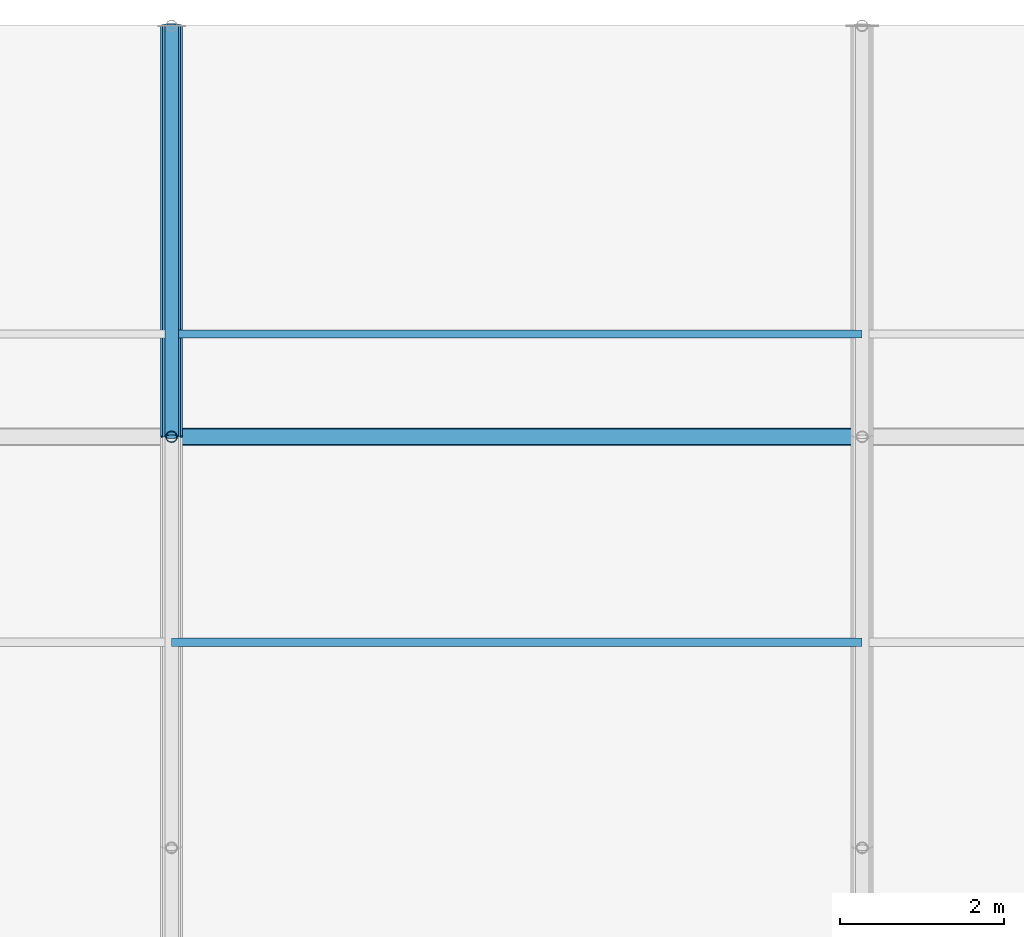
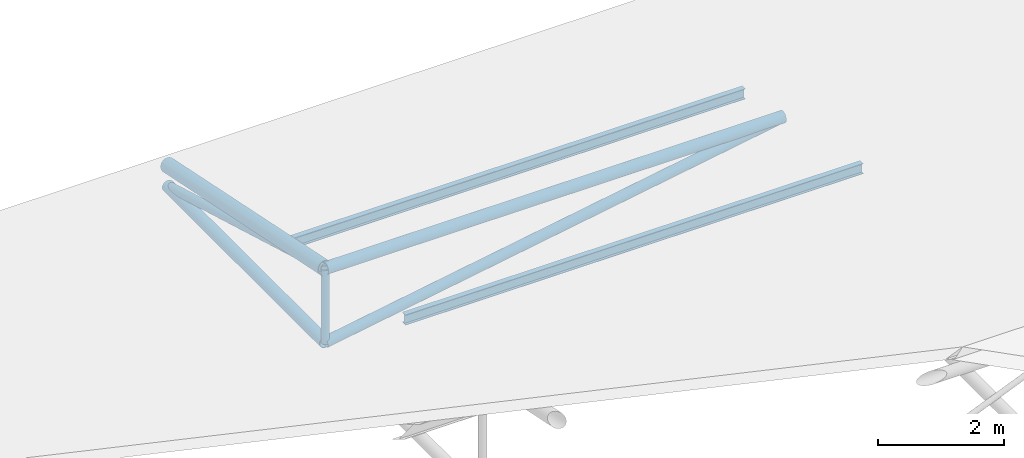
# One storey, part 100 of 194: 6 members, 2 beams.
"""IFC4 building model written with IfcOpenShell, lengths in metres."""

from ifc_helpers import new_model, si_unit, direction, frame, origin, origin_2d, place, context, subcontext, project, spatial, hollow_circle, i_section, extrude, material, material_profile, profile_set, type_object, element, save


model = new_model("IFC4")

# Units and contexts
model_context = context("Model", 3, precision=1e-05, world=origin(), true_north=direction((0.0, 1.0)))
body_context = subcontext(model_context, "Body", "Model", "MODEL_VIEW")
ifc_project = project(units=[si_unit("LENGTHUNIT", "METRE"), si_unit("AREAUNIT", "SQUARE_METRE"), si_unit("VOLUMEUNIT", "CUBIC_METRE"), si_unit("PLANEANGLEUNIT", "RADIAN"), si_unit("MASSUNIT", "GRAM", prefix="KILO")], contexts=[model_context])

# Site, building, storey
site_placement = place(None, origin())
site = spatial("IfcSite", under=ifc_project, at=site_placement, CompositionType="ELEMENT")
building_placement = place(site_placement, origin())
building = spatial("IfcBuilding", under=site, at=building_placement, Name="Kazenagashi Tramway Depot", CompositionType="ELEMENT")
storey_placement = place(building_placement, frame((0.0, 0.0, 23.7)))
storey = spatial("IfcBuildingStorey", under=building, at=storey_placement, Name="ROOF", CompositionType="ELEMENT", Elevation=23.7)

# Beams
ifc_material_1 = material(Name="Steel SN400B", Category="steel")
ifc_material_profile_1 = material_profile(ifc_material_1, i_section(OverallWidth=0.1, OverallDepth=0.2, WebThickness=0.0055, FlangeThickness=0.008, at=origin_2d()), Name="H-200x100x5.5x8")
ifc_profile_set_1 = profile_set([ifc_material_profile_1], Name="Steel SN400B")
beam_type = type_object("IfcBeamType", Name="PR-01", PredefinedType="USERDEFINED", material=ifc_profile_set_1)
for number, where, z_axis, x_axis, name in (
    (1, (154.0, 122.5, -12.13), (1.0, 0.0, 0.0), (0.0, 1.0, 0.0), "Beam PR-01 BM-2211"),
    (2, (154.0, 126.25, -12.955), (1.0, 0.0, 0.0), (0.0, 1.0, 0.0), "Beam PR-01 BM-2229"),
):
    element("IfcBeam", number, at=place(storey_placement, frame(where, z_axis=z_axis, x_axis=x_axis)), inside=storey, type_object=beam_type, Name=name, ObjectType="PURLIN", PredefinedType="USERDEFINED", context=body_context, shape_type="SweptSolid", body=[
        extrude(i_section(OverallWidth=0.1, OverallDepth=0.2, WebThickness=0.0055, FlangeThickness=0.008, at=origin_2d()), origin(), (0.0, 0.0, 1.0), 8.4),
    ])

# Members
ifc_material_2 = material(Name="Steel STK490", Category="steel")
ifc_material_profile_2 = material_profile(ifc_material_2, hollow_circle(Radius=0.1337, WallThickness=0.0093, at=origin_2d()), Name="CHS-267.4x9.3")
ifc_profile_set_2 = profile_set([ifc_material_profile_2], Name="Steel STK490")
member_type_1 = type_object("IfcMemberType", Name="TC-01", PredefinedType="CHORD", material=ifc_profile_set_2)
member_1_placement = place(storey_placement, frame((154.0, 125.0, -12.667), z_axis=(0.0, 0.979317999984, -0.202327098797), x_axis=(-1.0, 0.0, 0.0)))
element("IfcMember", 3, at=member_1_placement, inside=storey, type_object=member_type_1, Name="Tubular Space Frame TC-01 MEM-0840", PredefinedType="CHORD", context=body_context, shape_type="SweptSolid", body=[
    extrude(hollow_circle(Radius=0.1337, WallThickness=0.0093, at=origin_2d()), origin(), (0.0, 0.0, 1.0), 5.105594),
])
ifc_material_profile_3 = material_profile(ifc_material_2, hollow_circle(Radius=0.10815, WallThickness=0.0082, at=origin_2d()), Name="CHS-216.3x8.2")
ifc_profile_set_3 = profile_set([ifc_material_profile_3], Name="Steel STK490")
member_type_2 = type_object("IfcMemberType", Name="TC-02", PredefinedType="CHORD", material=ifc_profile_set_3)
member_2_placement = place(storey_placement, frame((154.0, 125.0, -14.1), z_axis=(0.0, 1.0, 0.0), x_axis=(-1.0, 0.0, 0.0)))
element("IfcMember", 4, at=member_2_placement, inside=storey, type_object=member_type_2, Name="Tubular Space Frame TC-02 MEM-0841", PredefinedType="CHORD", context=body_context, shape_type="SweptSolid", body=[
    extrude(hollow_circle(Radius=0.10815, WallThickness=0.0082, at=origin_2d()), origin(), (0.0, 0.0, 1.0), 5.0),
])
member_3_placement = place(storey_placement, frame((154.0, 125.0, -12.667), z_axis=(1.0, 0.0, 0.0), x_axis=(0.0, 1.0, 0.0)))
element("IfcMember", 5, at=member_3_placement, inside=storey, type_object=member_type_2, Name="Tubular Space Frame TC-02 MEM-0853", PredefinedType="CHORD", context=body_context, shape_type="SweptSolid", body=[
    extrude(hollow_circle(Radius=0.10815, WallThickness=0.0082, at=origin_2d()), origin(), (0.0, 0.0, 1.0), 8.4),
])
ifc_material_profile_4 = material_profile(ifc_material_2, hollow_circle(Radius=0.0826, WallThickness=0.0071, at=origin_2d()), Name="CHS-165.2x7.1")
ifc_profile_set_4 = profile_set([ifc_material_profile_4], Name="Steel STK490")
member_type_3 = type_object("IfcMemberType", Name="TS-01", PredefinedType="STRUT", material=ifc_profile_set_4)
member_4_placement = place(storey_placement, frame((154.0, 125.0, -12.667), z_axis=(0.0, 0.961298717795, -0.27550821252), x_axis=(-1.0, 0.0, 0.0)))
element("IfcMember", 6, at=member_4_placement, inside=storey, type_object=member_type_3, Name="Tubular Space Frame TS-01 MEM-0842", PredefinedType="STRUT", context=body_context, shape_type="SweptSolid", body=[
    extrude(hollow_circle(Radius=0.0826, WallThickness=0.0071, at=origin_2d()), origin(), (0.0, 0.0, 1.0), 5.201297),
])
ifc_material_profile_5 = material_profile(ifc_material_2, hollow_circle(Radius=0.0699, WallThickness=0.0066, at=origin_2d()), Name="CHS-139.8x6.6")
ifc_profile_set_5 = profile_set([ifc_material_profile_5], Name="Steel STK490")
member_type_4 = type_object("IfcMemberType", Name="TS-02", PredefinedType="STRUT", material=ifc_profile_set_5)
member_5_placement = place(storey_placement, frame((154.0, 125.0, -14.1), z_axis=(0.0, 0.0, 1.0), x_axis=(1.0, 0.0, 0.0)))
element("IfcMember", 7, at=member_5_placement, inside=storey, type_object=member_type_4, Name="Tubular Space Frame TS-02 MEM-0847", PredefinedType="STRUT", context=body_context, shape_type="SweptSolid", body=[
    extrude(hollow_circle(Radius=0.0699, WallThickness=0.0066, at=origin_2d()), origin(), (0.0, 0.0, 1.0), 1.433),
])
ifc_material_profile_6 = material_profile(ifc_material_2, hollow_circle(Radius=0.09535, WallThickness=0.007, at=origin_2d()), Name="CHS-190.7x7.0")
ifc_profile_set_6 = profile_set([ifc_material_profile_6], Name="Steel STK490")
member_type_5 = type_object("IfcMemberType", Name="TS-05", PredefinedType="STRUT", material=ifc_profile_set_6)
member_6_placement = place(storey_placement, frame((154.0, 125.0, -14.1), z_axis=(0.985758734117, 0.0, 0.168165745951), x_axis=(0.0, 1.0, 0.0)))
element("IfcMember", 8, at=member_6_placement, inside=storey, type_object=member_type_5, Name="Tubular Space Frame TS-05 MEM-0854", PredefinedType="STRUT", context=body_context, shape_type="SweptSolid", body=[
    extrude(hollow_circle(Radius=0.09535, WallThickness=0.007, at=origin_2d()), origin(), (0.0, 0.0, 1.0), 8.521355),
])

save(model, "model.ifc")
